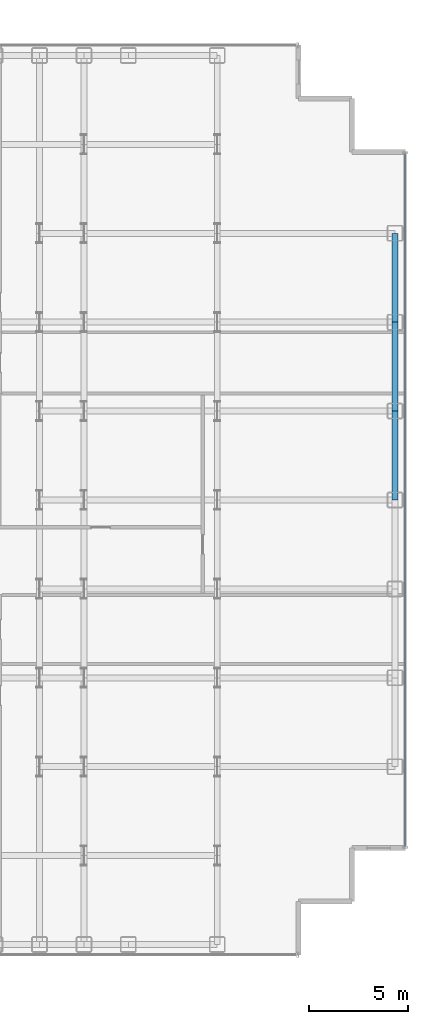
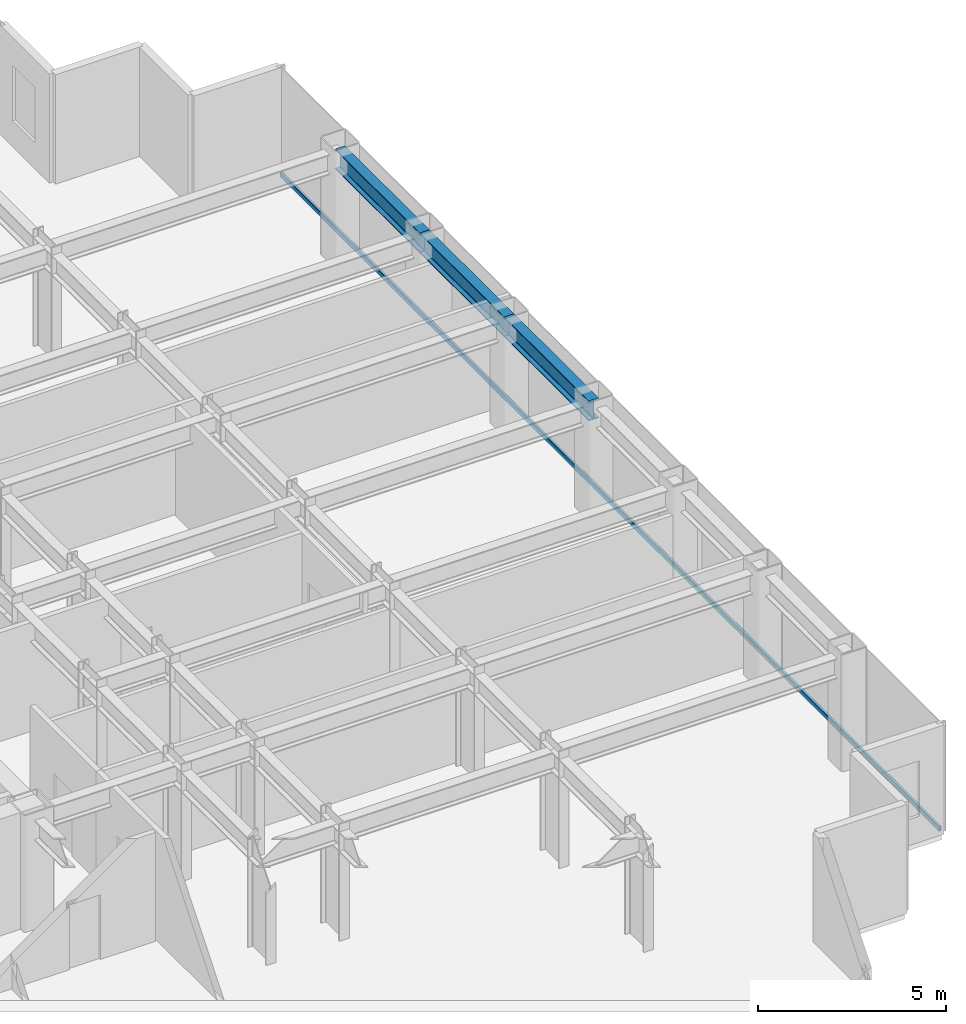
# One storey, part 17 of 26: 3 beams, 1 member, 1 element without a shape of its own.
"""IFC4 building model written with IfcOpenShell, lengths in metres."""

import ifcopenshell
import ifcopenshell.guid

model = None  # the IFC model being written
_history = None  # IfcOwnerHistory: only IFC2X3 demands one
_inside = {}  # id of a spatial element -> (the spatial element, [elements in it])
_under = {}  # id of a project, library or spatial element -> (it, [spatial elements below it])
_declared = {}  # id of a project -> (the project, [libraries it declares])
_typed = {}  # id of a type object -> (the type object, [elements of that type])
_made_of = {}  # id of a material, layer set ... -> (it, [elements and type objects made of it])


def new_model(schema):
    """Start an empty IFC model of exactly this schema.

    Asked for "IFC4X3", IfcOpenShell would pick the latest addendum, in which some entities
    have other attributes; the version numbers below select the first issue.
    IFC2X3 requires an IfcOwnerHistory on every rooted entity: one is made here for all.
    """
    global model, _history
    if schema == "IFC4X3":
        model = ifcopenshell.file(schema_version=(4, 3, 0, 0))
    else:
        model = ifcopenshell.file(schema=schema)
    _inside.clear()
    _under.clear()
    _declared.clear()
    _typed.clear()
    _made_of.clear()
    _history = None
    if model.schema == "IFC2X3":
        org = make("IfcOrganization", Name="unknown")
        user = make(
            "IfcPersonAndOrganization",
            ThePerson=make("IfcPerson", FamilyName="unknown"),
            TheOrganization=org,
        )
        app = make(
            "IfcApplication",
            ApplicationDeveloper=org,
            Version="unknown",
            ApplicationFullName="unknown",
            ApplicationIdentifier="unknown",
        )
        _history = make(
            "IfcOwnerHistory",
            OwningUser=user,
            OwningApplication=app,
            ChangeAction="ADDED",
            CreationDate=0,
        )
    return model


def make(cls, **values):
    """One entity of the class cls with the attributes given. An attribute that is None is left unset."""
    return model.create_entity(
        cls, **{name: value for name, value in values.items() if value is not None}
    )


def rooted(cls, **values):
    """An entity with a GlobalId (a new one), such as an element, a storey or a relation."""
    return make(cls, GlobalId=ifcopenshell.guid.new(), OwnerHistory=_history, **values)


def si_unit(unit_type, name, prefix=None):
    """IfcSIUnit, for example si_unit("LENGTHUNIT", "METRE", prefix="MILLI")."""
    return make("IfcSIUnit", UnitType=unit_type, Prefix=prefix, Name=name)


def assignment(units):
    """IfcUnitAssignment: the units of a project."""
    return None if units is None else make("IfcUnitAssignment", Units=units)


def point(xyz):
    """IfcCartesianPoint."""
    return None if xyz is None else make("IfcCartesianPoint", Coordinates=xyz)


def direction(xyz):
    """IfcDirection."""
    return None if xyz is None else make("IfcDirection", DirectionRatios=xyz)


def frame(location, z_axis=None, x_axis=None):
    """IfcAxis2Placement3D, a coordinate frame: its origin and axes. An axis left out is left unset."""
    return make(
        "IfcAxis2Placement3D",
        Location=point(location),
        Axis=direction(z_axis),
        RefDirection=direction(x_axis),
    )


def frame_2d(location, x_axis=None):
    """IfcAxis2Placement2D, a coordinate frame in the plane: its origin and x axis."""
    return make(
        "IfcAxis2Placement2D", Location=point(location), RefDirection=direction(x_axis)
    )


def origin():
    """The frame at (0, 0, 0) with its axes left unset."""
    return frame((0.0, 0.0, 0.0))


def origin_2d():
    """The frame at (0, 0) in the plane with its x axis left unset."""
    return frame_2d((0.0, 0.0))


def place(relative_to, where):
    """IfcLocalPlacement: puts the frame where relative to a parent placement (None: the world)."""
    return make(
        "IfcLocalPlacement", PlacementRelTo=relative_to, RelativePlacement=where
    )


def context(
    kind, dimensions, precision=None, world=None, true_north=None, identifier=None
):
    """IfcGeometricRepresentationContext, for example the 3D "Model" context."""
    return make(
        "IfcGeometricRepresentationContext",
        ContextIdentifier=identifier,
        ContextType=kind,
        CoordinateSpaceDimension=dimensions,
        Precision=precision,
        WorldCoordinateSystem=world,
        TrueNorth=true_north,
    )


def subcontext(parent, identifier, kind, view, scale=None):
    """IfcGeometricRepresentationSubContext, for example "Body" below "Model"."""
    return make(
        "IfcGeometricRepresentationSubContext",
        ContextIdentifier=identifier,
        ContextType=kind,
        ParentContext=parent,
        TargetScale=scale,
        TargetView=view,
    )


def project(units=None, contexts=None):
    """IfcProject with its units and contexts."""
    return rooted(
        "IfcProject",
        Name="project",
        RepresentationContexts=contexts,
        UnitsInContext=assignment(units),
    )


def spatial(cls, under=None, at=None, **own):
    """A site, building, storey or space (cls), placed at a placement, below another one or the project."""
    s = rooted(cls, ObjectPlacement=at, **own)
    if under is not None:
        _under.setdefault(under.id(), (under, []))[1].append(s)
    return s


def profile(cls, at=None, kind="AREA", **sizes):
    """A parametric profile (cls). Its sizes go by their IFC names, for example OverallWidth=200.0."""
    return make(cls, ProfileType=kind, Position=at, **sizes)


def hollow_rectangle(**sizes):
    """IfcRectangleHollowProfileDef."""
    return profile("IfcRectangleHollowProfileDef", **sizes)


def i_section(**sizes):
    """IfcIShapeProfileDef."""
    return profile("IfcIShapeProfileDef", **sizes)


def extrude(swept, where, along, depth):
    """IfcExtrudedAreaSolid: the profile swept, set in the frame where, extruded along a direction by depth."""
    return make(
        "IfcExtrudedAreaSolid",
        SweptArea=swept,
        Position=where,
        ExtrudedDirection=direction(along),
        Depth=depth,
    )


def shape(context_of_items, identifier, shape_type, items):
    """IfcShapeRepresentation: the items that make up one representation, for example the "Body"."""
    return make(
        "IfcShapeRepresentation",
        ContextOfItems=context_of_items,
        RepresentationIdentifier=identifier,
        RepresentationType=shape_type,
        Items=items,
    )


def source(mapping_origin, context_of_items, identifier, shape_type, items):
    """IfcRepresentationMap: a shape defined once, which mapped items show again and again."""
    return make(
        "IfcRepresentationMap",
        MappingOrigin=mapping_origin,
        MappedRepresentation=shape(context_of_items, identifier, shape_type, items),
    )


def transform(
    local_origin,
    x_axis=None,
    y_axis=None,
    z_axis=None,
    scale=None,
    scale2=None,
    scale3=None,
    uniform=True,
):
    """IfcCartesianTransformationOperator3D, or its non-uniform kind. x_axis, y_axis, z_axis: its Axis1, 2, 3."""
    if uniform:
        return make(
            "IfcCartesianTransformationOperator3D",
            Axis1=direction(x_axis),
            Axis2=direction(y_axis),
            LocalOrigin=point(local_origin),
            Scale=scale,
            Axis3=direction(z_axis),
        )
    return make(
        "IfcCartesianTransformationOperator3DnonUniform",
        Axis1=direction(x_axis),
        Axis2=direction(y_axis),
        LocalOrigin=point(local_origin),
        Scale=scale,
        Axis3=direction(z_axis),
        Scale2=scale2,
        Scale3=scale3,
    )


def mapped(mapping_source, mapping_target):
    """IfcMappedItem: shows the shape of a source again, moved by a transform."""
    return make(
        "IfcMappedItem", MappingSource=mapping_source, MappingTarget=mapping_target
    )


def material(Name=None, Category=None):
    """IfcMaterial."""
    return make("IfcMaterial", Name=Name, Category=Category)


def layer(
    of_material, thickness, ventilated=None, Name=None, Category=None, Priority=None
):
    """IfcMaterialLayer: one layer of a wall or slab, of a material (None: an air gap)."""
    return make(
        "IfcMaterialLayer",
        Material=of_material,
        LayerThickness=thickness,
        IsVentilated=ventilated,
        Name=Name,
        Category=Category,
        Priority=Priority,
    )


def layer_set(layers, Name=None):
    """IfcMaterialLayerSet."""
    return make("IfcMaterialLayerSet", MaterialLayers=layers, LayerSetName=Name)


def material_profile(
    of_material, cross_section, Name=None, Category=None, Priority=None
):
    """IfcMaterialProfile: a cross section and its material."""
    return make(
        "IfcMaterialProfile",
        Name=Name,
        Material=of_material,
        Profile=cross_section,
        Priority=Priority,
        Category=Category,
    )


def profile_set(profiles, Name=None, composite=None):
    """IfcMaterialProfileSet."""
    return make(
        "IfcMaterialProfileSet",
        Name=Name,
        MaterialProfiles=profiles,
        CompositeProfile=composite,
    )


def made_of(thing, what):
    """Note that an element or type object is made of a material, layer set ...; save() writes the relation."""
    if what is not None:
        _made_of.setdefault(what.id(), (what, []))[1].append(thing)
    return thing


def type_object(cls, material=None, **own):
    """A type object (cls), such as IfcWallType, which elements share."""
    return made_of(rooted(cls, **own), material)


def element(
    cls,
    number,
    at=None,
    inside=None,
    cuts=None,
    type_object=None,
    material=None,
    context=None,
    identifier="Body",
    shape_type=None,
    held_by="IfcProductDefinitionShape",
    body=None,
    shapes=None,
    **own,
):
    """One element of the class cls, such as IfcWall. Its Tag is "e" and its number.

    at: its placement. inside: the storey or other place that contains it. cuts: it is an
    opening in that element (IfcRelVoidsElement). A single representation is given by context,
    identifier, shape_type and body (its items); several are given by shapes. held_by: the class
    of the entity that holds the representations. save() writes the other relations.
    """
    e = rooted(cls, Tag="e%d" % number, ObjectPlacement=at, **own)
    if body is not None:
        shapes = [shape(context, identifier, shape_type, body)]
    if shapes is not None:
        e.Representation = make(held_by, Representations=shapes)
    if inside is not None:
        _inside.setdefault(inside.id(), (inside, []))[1].append(e)
    if cuts is not None:
        rooted(
            "IfcRelVoidsElement", RelatingBuildingElement=cuts, RelatedOpeningElement=e
        )
    if type_object is not None:
        _typed.setdefault(type_object.id(), (type_object, []))[1].append(e)
    return made_of(e, material)


def aggregate(whole, parts):
    """IfcRelAggregates: a whole, such as a stair, and the parts it consists of."""
    return rooted("IfcRelAggregates", RelatingObject=whole, RelatedObjects=parts)


def save(model, path):
    """Write the relations noted so far, then the file.

    IfcRelAggregates (storeys below a building ...), IfcRelContainedInSpatialStructure (elements
    in a storey), IfcRelDefinesByType, IfcRelAssociatesMaterial and IfcRelDeclares: one each for
    every whole, place, type object, material and project.
    """
    for whole, parts in _under.values():
        aggregate(whole, parts)
    for where, things in _inside.values():
        rooted(
            "IfcRelContainedInSpatialStructure",
            RelatedElements=things,
            RelatingStructure=where,
        )
    for kind, things in _typed.values():
        rooted("IfcRelDefinesByType", RelatedObjects=things, RelatingType=kind)
    for what, things in _made_of.values():
        rooted("IfcRelAssociatesMaterial", RelatedObjects=things, RelatingMaterial=what)
    for by, libraries in _declared.values():
        rooted("IfcRelDeclares", RelatingContext=by, RelatedDefinitions=libraries)
    model.write(path)


model = new_model("IFC4")

# Units and contexts
model_context = context("Model", 3, precision=1e-05, world=origin(), true_north=direction((0.0, 1.0)))
body_context = subcontext(model_context, "Body", "Model", "MODEL_VIEW")
ifc_project = project(units=[si_unit("LENGTHUNIT", "METRE"), si_unit("AREAUNIT", "SQUARE_METRE"), si_unit("VOLUMEUNIT", "CUBIC_METRE"), si_unit("PLANEANGLEUNIT", "RADIAN"), si_unit("MASSUNIT", "GRAM", prefix="KILO")], contexts=[model_context])

# Site, building, storey
site_placement = place(None, origin())
site = spatial("IfcSite", under=ifc_project, at=site_placement, CompositionType="ELEMENT")
building_placement = place(site_placement, origin())
building = spatial("IfcBuilding", under=site, at=building_placement, Name="Nefas-Gora Pilgrimage Tower", CompositionType="ELEMENT")
storey_placement = place(building_placement, frame((0.0, 0.0, 132.60009765625)))
storey = spatial("IfcBuildingStorey", under=building, at=storey_placement, Name="L32", CompositionType="ELEMENT", Elevation=132.60009765625)

# Beams
ifc_material_1 = material(Name="Steel S355", Category="steel")
ifc_material_profile_1 = material_profile(ifc_material_1, i_section(OverallWidth=0.300048828125, OverallDepth=0.64990234375, WebThickness=0.01611328125, FlangeThickness=0.031005859375, FilletRadius=0.027099609375, at=origin_2d()), Name="HEB 650")
ifc_profile_set_1 = profile_set([ifc_material_profile_1], Name="Steel S355")
beam_type = type_object("IfcBeamType", Name="BM-SPN-HEB500", PredefinedType="SPANDREL", material=ifc_profile_set_1)
shared_shape_1 = source(origin(), body_context, "Body", "SweptSolid", [
    extrude(i_section(OverallWidth=0.300048828125, OverallDepth=0.64990234375, WebThickness=0.01611328125, FlangeThickness=0.031005859375, FilletRadius=0.027099609375, at=origin_2d()), origin(), (0.0, 0.0, 1.0), 4.5),
])
for number, where, z_axis, x_axis, name in (
    (1, (33.75, 0.0, 3.224853515625), (0.0, 1.0, 0.0), (-1.0, 0.0, 0.0), "L32 SP-02 beam"),
    (2, (33.75, 4.5, 3.224853515625), (0.0, 1.0, 0.0), (-1.0, 0.0, 0.0), "L32 SP-02 beam"),
    (3, (33.75, 9.0, 3.224853515625), (0.0, 1.0, 0.0), (-1.0, 0.0, 0.0), "L32 SP-02 beam"),
):
    element("IfcBeam", number, at=place(storey_placement, frame(where, z_axis=z_axis, x_axis=x_axis)), inside=storey, type_object=beam_type, Name=name, PredefinedType="SPANDREL", context=body_context, shape_type="MappedRepresentation", body=[
        mapped(shared_shape_1, transform((0.0, 0.0, 0.0), x_axis=(1.0, 0.0, 0.0), y_axis=(0.0, 1.0, 0.0), z_axis=(0.0, 0.0, 1.0), scale=1.0)),
    ])

# Curtain wall, member
ifc_material_2 = material(Name="Dark ceramic-fritted solar-control aluminium-glass curtain wall", Category="aluminium")
ifc_layer = layer(ifc_material_2, 0.219970703125)
ifc_layer_set = layer_set([ifc_layer], Name="Dark ceramic-fritted solar-control aluminium-glass curtain wall")
curtain_wall_type = type_object("IfcCurtainWallType", Name="CW-SYS-2", PredefinedType="NOTDEFINED", material=ifc_layer_set)
curtain_wall_placement = place(storey_placement, origin())
curtain_wall = element("IfcCurtainWall", 4, at=curtain_wall_placement, inside=storey, type_object=curtain_wall_type, Name="L32 Unitised Curtain Wall CW2", PredefinedType="NOTDEFINED")
ifc_material_3 = material(Name="Anodised architectural aluminium", Category="aluminium")
ifc_material_profile_2 = material_profile(ifc_material_3, hollow_rectangle(XDim=0.080078125, YDim=0.159912109375, WallThickness=0.00439453125, InnerFilletRadius=0.00439453125, OuterFilletRadius=0.009033203125, at=origin_2d()), Name="ALU TRANSOM 80x160")
ifc_profile_set_2 = profile_set([ifc_material_profile_2], Name="Anodised architectural aluminium")
member_type = type_object("IfcMemberType", Name="CWM-TRN-2", PredefinedType="USERDEFINED", material=ifc_profile_set_2)
shared_shape_2 = source(origin(), body_context, "Body", "SweptSolid", [
    extrude(hollow_rectangle(XDim=0.080078125, YDim=0.159912109375, WallThickness=0.00439453125, InnerFilletRadius=0.00439453125, OuterFilletRadius=0.009033203125, at=origin_2d()), origin(), (0.0, 0.0, 1.0), 35.06005859375),
])
member_placement = place(storey_placement, frame((34.27001953125, -17.530029296875, 0.0498046875), z_axis=(0.0, 1.0, 0.0), x_axis=(-1.0, 0.0, 0.0)))
member = element("IfcMember", 5, at=member_placement, type_object=member_type, Name="CW2 Spandrel Transom", ObjectType="TRANSOM", PredefinedType="USERDEFINED", context=body_context, shape_type="MappedRepresentation", body=[
    mapped(shared_shape_2, transform((0.0, 0.0, 0.0), x_axis=(1.0, 0.0, 0.0), y_axis=(0.0, 1.0, 0.0), z_axis=(0.0, 0.0, 1.0), scale=1.0)),
])
aggregate(curtain_wall, [member])

save(model, "model.ifc")
